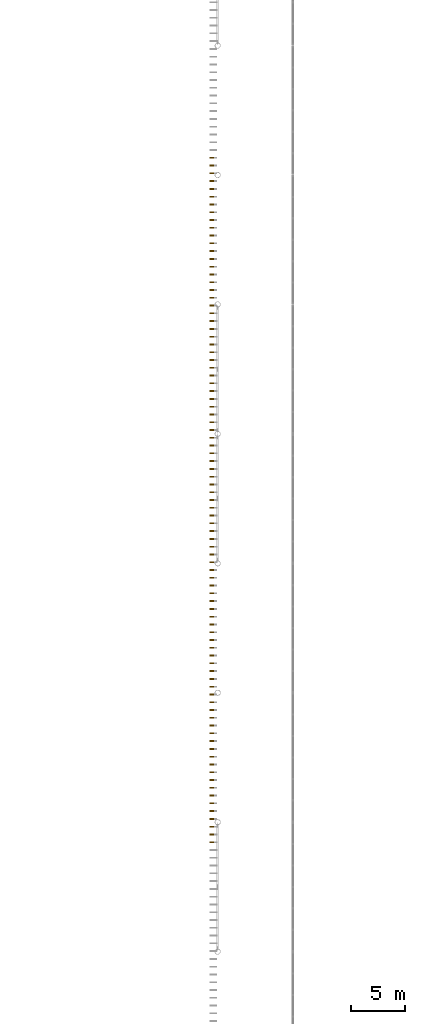
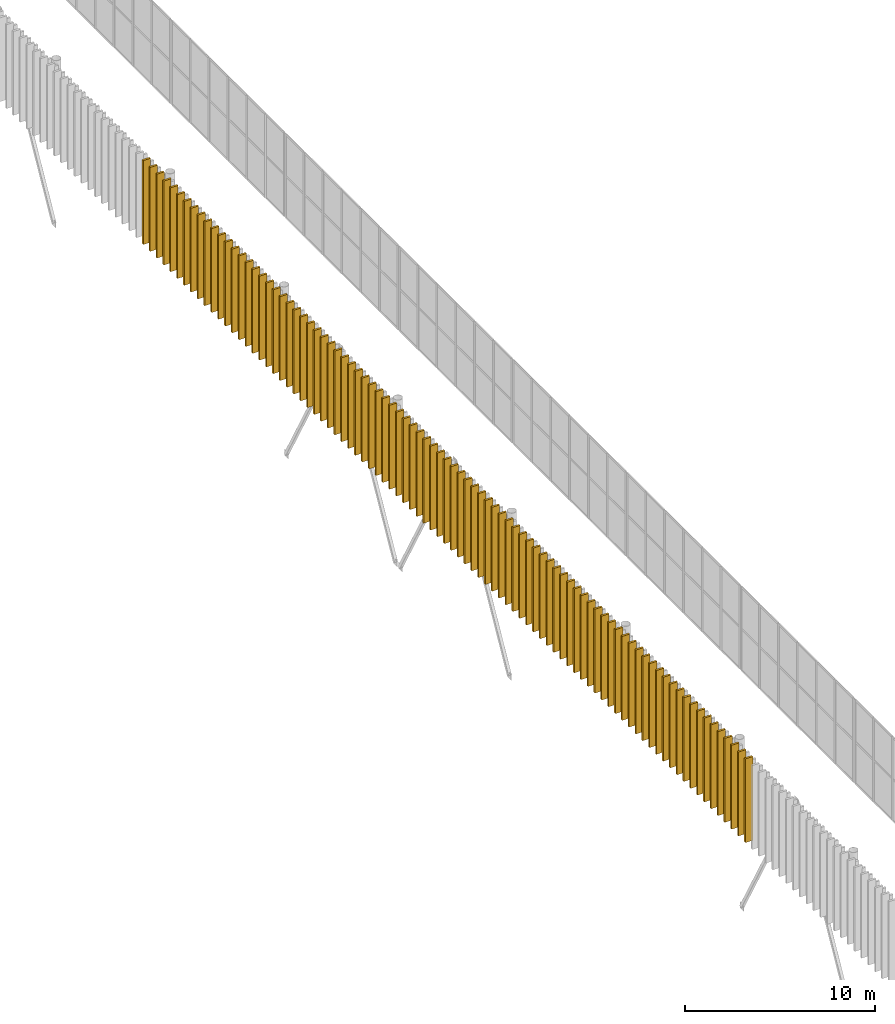
# One storey, part 159 of 170: 89 shading devices.
"""IFC4 building model written with IfcOpenShell, lengths in metres."""

from ifc_helpers import new_model, si_unit, direction, frame, origin, origin_2d, place, context, subcontext, project, spatial, rectangle, extrude, material, layer, layer_set, type_object, element, save


model = new_model("IFC4")

# Units and contexts
model_context = context("Model", 3, precision=1e-05, world=origin(), true_north=direction((0.0, 1.0)))
body_context = subcontext(model_context, "Body", "Model", "MODEL_VIEW")
ifc_project = project(units=[si_unit("LENGTHUNIT", "METRE"), si_unit("AREAUNIT", "SQUARE_METRE"), si_unit("VOLUMEUNIT", "CUBIC_METRE"), si_unit("PLANEANGLEUNIT", "RADIAN"), si_unit("MASSUNIT", "GRAM", prefix="KILO")], contexts=[model_context])

# Site, building, storey
site_placement = place(None, origin())
site = spatial("IfcSite", under=ifc_project, at=site_placement, CompositionType="ELEMENT")
building_placement = place(site_placement, origin())
building = spatial("IfcBuilding", under=site, at=building_placement, Name="Ravi Spectrum Wholesale Market", CompositionType="ELEMENT")
storey_placement = place(building_placement, frame((0.0, 0.0, 5.39990234375)))
storey = spatial("IfcBuildingStorey", under=building, at=storey_placement, Name="L01", CompositionType="ELEMENT", Elevation=5.39990234375)

# Shading devices
ifc_material_1 = material(Name="Glazed ceramic lime 09")
ifc_layer_1 = layer(ifc_material_1, 0.1201171875)
ifc_layer_set_1 = layer_set([ifc_layer_1], Name="Glazed ceramic lime 09")
shading_device_type_1 = type_object("IfcShadingDeviceType", Name="Glazed ceramic fin 09", PredefinedType="USERDEFINED", material=ifc_layer_set_1)
for number, where, z_axis, x_axis, name in (
    (1, (29.47509765625, 81.9140625, 0.000244140625), (0.0, 0.0, 1.0), (0.0, -1.0, 0.0), "Fin F162 Glazed ceramic lime 09"),
    (2, (29.47509765625, 81.193115234375, 0.000244140625), (0.0, 0.0, 1.0), (0.0, -1.0, 0.0), "Fin F163 Glazed ceramic lime 09"),
    (3, (29.47509765625, 80.47216796875, 0.000244140625), (0.0, 0.0, 1.0), (0.0, -1.0, 0.0), "Fin F164 Glazed ceramic lime 09"),
    (4, (29.47509765625, 79.7509765625, 0.000244140625), (0.0, 0.0, 1.0), (0.0, -1.0, 0.0), "Fin F165 Glazed ceramic lime 09"),
    (5, (29.47509765625, 79.030029296875, 0.000244140625), (0.0, 0.0, 1.0), (0.0, -1.0, 0.0), "Fin F166 Glazed ceramic lime 09"),
    (6, (29.47509765625, 78.30908203125, 0.000244140625), (0.0, 0.0, 1.0), (0.0, -1.0, 0.0), "Fin F167 Glazed ceramic lime 09"),
    (7, (29.47509765625, 77.587890625, 0.000244140625), (0.0, 0.0, 1.0), (0.0, -1.0, 0.0), "Fin F168 Glazed ceramic lime 09"),
    (8, (29.47509765625, 76.866943359375, 0.000244140625), (0.0, 0.0, 1.0), (0.0, -1.0, 0.0), "Fin F169 Glazed ceramic lime 09"),
    (9, (29.47509765625, 76.14599609375, 0.000244140625), (0.0, 0.0, 1.0), (0.0, -1.0, 0.0), "Fin F170 Glazed ceramic lime 09"),
):
    element("IfcShadingDevice", number, at=place(storey_placement, frame(where, z_axis=z_axis, x_axis=x_axis)), inside=storey, type_object=shading_device_type_1, Name=name, ObjectType="FIN", PredefinedType="USERDEFINED", context=body_context, shape_type="SweptSolid", body=[
        extrude(rectangle(XDim=0.1201171875, YDim=0.449951171875, at=origin_2d()), origin(), (0.0, 0.0, 1.0), 5.39990234375),
    ])
ifc_material_2 = material(Name="Glazed ceramic green 10")
ifc_layer_2 = layer(ifc_material_2, 0.1201171875)
ifc_layer_set_2 = layer_set([ifc_layer_2], Name="Glazed ceramic green 10")
shading_device_type_2 = type_object("IfcShadingDeviceType", Name="Glazed ceramic fin 10", PredefinedType="USERDEFINED", material=ifc_layer_set_2)
for number, where, z_axis, x_axis, name in (
    (10, (29.47509765625, 89.12451171875, 0.000244140625), (0.0, 0.0, 1.0), (0.0, -1.0, 0.0), "Fin F152 Glazed ceramic green 10"),
    (11, (29.47509765625, 88.4033203125, 0.000244140625), (0.0, 0.0, 1.0), (0.0, -1.0, 0.0), "Fin F153 Glazed ceramic green 10"),
    (12, (29.47509765625, 87.682373046875, 0.000244140625), (0.0, 0.0, 1.0), (0.0, -1.0, 0.0), "Fin F154 Glazed ceramic green 10"),
    (13, (29.47509765625, 86.96142578125, 0.000244140625), (0.0, 0.0, 1.0), (0.0, -1.0, 0.0), "Fin F155 Glazed ceramic green 10"),
    (14, (29.47509765625, 86.240234375, 0.000244140625), (0.0, 0.0, 1.0), (0.0, -1.0, 0.0), "Fin F156 Glazed ceramic green 10"),
    (15, (29.47509765625, 85.519287109375, 0.000244140625), (0.0, 0.0, 1.0), (0.0, -1.0, 0.0), "Fin F157 Glazed ceramic green 10"),
    (16, (29.47509765625, 84.79833984375, 0.000244140625), (0.0, 0.0, 1.0), (0.0, -1.0, 0.0), "Fin F158 Glazed ceramic green 10"),
    (17, (29.47509765625, 84.0771484375, 0.000244140625), (0.0, 0.0, 1.0), (0.0, -1.0, 0.0), "Fin F159 Glazed ceramic green 10"),
    (18, (29.47509765625, 83.356201171875, 0.000244140625), (0.0, 0.0, 1.0), (0.0, -1.0, 0.0), "Fin F160 Glazed ceramic green 10"),
    (19, (29.47509765625, 82.63525390625, 0.000244140625), (0.0, 0.0, 1.0), (0.0, -1.0, 0.0), "Fin F161 Glazed ceramic green 10"),
):
    element("IfcShadingDevice", number, at=place(storey_placement, frame(where, z_axis=z_axis, x_axis=x_axis)), inside=storey, type_object=shading_device_type_2, Name=name, ObjectType="FIN", PredefinedType="USERDEFINED", context=body_context, shape_type="SweptSolid", body=[
        extrude(rectangle(XDim=0.1201171875, YDim=0.449951171875, at=origin_2d()), origin(), (0.0, 0.0, 1.0), 5.39990234375),
    ])
ifc_material_3 = material(Name="Glazed ceramic green 11")
ifc_layer_3 = layer(ifc_material_3, 0.1201171875)
ifc_layer_set_3 = layer_set([ifc_layer_3], Name="Glazed ceramic green 11")
shading_device_type_3 = type_object("IfcShadingDeviceType", Name="Glazed ceramic fin 11", PredefinedType="USERDEFINED", material=ifc_layer_set_3)
for number, where, z_axis, x_axis, name in (
    (20, (29.47509765625, 97.055908203125, 0.000244140625), (0.0, 0.0, 1.0), (0.0, -1.0, 0.0), "Fin F141 Glazed ceramic green 11"),
    (21, (29.47509765625, 96.334716796875, 0.000244140625), (0.0, 0.0, 1.0), (0.0, -1.0, 0.0), "Fin F142 Glazed ceramic green 11"),
    (22, (29.47509765625, 95.61376953125, 0.000244140625), (0.0, 0.0, 1.0), (0.0, -1.0, 0.0), "Fin F143 Glazed ceramic green 11"),
    (23, (29.47509765625, 94.892822265625, 0.000244140625), (0.0, 0.0, 1.0), (0.0, -1.0, 0.0), "Fin F144 Glazed ceramic green 11"),
    (24, (29.47509765625, 94.171630859375, 0.000244140625), (0.0, 0.0, 1.0), (0.0, -1.0, 0.0), "Fin F145 Glazed ceramic green 11"),
    (25, (29.47509765625, 93.45068359375, 0.000244140625), (0.0, 0.0, 1.0), (0.0, -1.0, 0.0), "Fin F146 Glazed ceramic green 11"),
    (26, (29.47509765625, 92.7294921875, 0.000244140625), (0.0, 0.0, 1.0), (0.0, -1.0, 0.0), "Fin F147 Glazed ceramic green 11"),
    (27, (29.47509765625, 92.008544921875, 0.000244140625), (0.0, 0.0, 1.0), (0.0, -1.0, 0.0), "Fin F148 Glazed ceramic green 11"),
    (28, (29.47509765625, 91.28759765625, 0.000244140625), (0.0, 0.0, 1.0), (0.0, -1.0, 0.0), "Fin F149 Glazed ceramic green 11"),
    (29, (29.47509765625, 90.56640625, 0.000244140625), (0.0, 0.0, 1.0), (0.0, -1.0, 0.0), "Fin F150 Glazed ceramic green 11"),
    (30, (29.47509765625, 89.845458984375, 0.000244140625), (0.0, 0.0, 1.0), (0.0, -1.0, 0.0), "Fin F151 Glazed ceramic green 11"),
):
    element("IfcShadingDevice", number, at=place(storey_placement, frame(where, z_axis=z_axis, x_axis=x_axis)), inside=storey, type_object=shading_device_type_3, Name=name, ObjectType="FIN", PredefinedType="USERDEFINED", context=body_context, shape_type="SweptSolid", body=[
        extrude(rectangle(XDim=0.1201171875, YDim=0.449951171875, at=origin_2d()), origin(), (0.0, 0.0, 1.0), 5.39990234375),
    ])
ifc_material_4 = material(Name="Glazed ceramic green 12")
ifc_layer_4 = layer(ifc_material_4, 0.1201171875)
ifc_layer_set_4 = layer_set([ifc_layer_4], Name="Glazed ceramic green 12")
shading_device_type_4 = type_object("IfcShadingDeviceType", Name="Glazed ceramic fin 12", PredefinedType="USERDEFINED", material=ifc_layer_set_4)
for number, where, z_axis, x_axis, name in (
    (31, (29.47509765625, 104.987060546875, 0.000244140625), (0.0, 0.0, 1.0), (0.0, -1.0, 0.0), "Fin F130 Glazed ceramic green 12"),
    (32, (29.47509765625, 104.26611328125, 0.000244140625), (0.0, 0.0, 1.0), (0.0, -1.0, 0.0), "Fin F131 Glazed ceramic green 12"),
    (33, (29.47509765625, 103.545166015625, 0.000244140625), (0.0, 0.0, 1.0), (0.0, -1.0, 0.0), "Fin F132 Glazed ceramic green 12"),
    (34, (29.47509765625, 102.823974609375, 0.000244140625), (0.0, 0.0, 1.0), (0.0, -1.0, 0.0), "Fin F133 Glazed ceramic green 12"),
    (35, (29.47509765625, 102.10302734375, 0.000244140625), (0.0, 0.0, 1.0), (0.0, -1.0, 0.0), "Fin F134 Glazed ceramic green 12"),
    (36, (29.47509765625, 101.382080078125, 0.000244140625), (0.0, 0.0, 1.0), (0.0, -1.0, 0.0), "Fin F135 Glazed ceramic green 12"),
    (37, (29.47509765625, 100.660888671875, 0.000244140625), (0.0, 0.0, 1.0), (0.0, -1.0, 0.0), "Fin F136 Glazed ceramic green 12"),
    (38, (29.47509765625, 99.93994140625, 0.000244140625), (0.0, 0.0, 1.0), (0.0, -1.0, 0.0), "Fin F137 Glazed ceramic green 12"),
    (39, (29.47509765625, 99.218994140625, 0.000244140625), (0.0, 0.0, 1.0), (0.0, -1.0, 0.0), "Fin F138 Glazed ceramic green 12"),
    (40, (29.47509765625, 98.497802734375, 0.000244140625), (0.0, 0.0, 1.0), (0.0, -1.0, 0.0), "Fin F139 Glazed ceramic green 12"),
    (41, (29.47509765625, 97.77685546875, 0.000244140625), (0.0, 0.0, 1.0), (0.0, -1.0, 0.0), "Fin F140 Glazed ceramic green 12"),
):
    element("IfcShadingDevice", number, at=place(storey_placement, frame(where, z_axis=z_axis, x_axis=x_axis)), inside=storey, type_object=shading_device_type_4, Name=name, ObjectType="FIN", PredefinedType="USERDEFINED", context=body_context, shape_type="SweptSolid", body=[
        extrude(rectangle(XDim=0.1201171875, YDim=0.449951171875, at=origin_2d()), origin(), (0.0, 0.0, 1.0), 5.39990234375),
    ])
ifc_material_5 = material(Name="Glazed ceramic emerald 13")
ifc_layer_5 = layer(ifc_material_5, 0.1201171875)
ifc_layer_set_5 = layer_set([ifc_layer_5], Name="Glazed ceramic emerald 13")
shading_device_type_5 = type_object("IfcShadingDeviceType", Name="Glazed ceramic fin 13", PredefinedType="USERDEFINED", material=ifc_layer_set_5)
for number, where, z_axis, x_axis, name in (
    (42, (29.47509765625, 112.197509765625, 0.000244140625), (0.0, 0.0, 1.0), (0.0, -1.0, 0.0), "Fin F120 Glazed ceramic emerald 13"),
    (43, (29.47509765625, 111.476318359375, 0.000244140625), (0.0, 0.0, 1.0), (0.0, -1.0, 0.0), "Fin F121 Glazed ceramic emerald 13"),
    (44, (29.47509765625, 110.75537109375, 0.000244140625), (0.0, 0.0, 1.0), (0.0, -1.0, 0.0), "Fin F122 Glazed ceramic emerald 13"),
    (45, (29.47509765625, 110.034423828125, 0.000244140625), (0.0, 0.0, 1.0), (0.0, -1.0, 0.0), "Fin F123 Glazed ceramic emerald 13"),
    (46, (29.47509765625, 109.313232421875, 0.000244140625), (0.0, 0.0, 1.0), (0.0, -1.0, 0.0), "Fin F124 Glazed ceramic emerald 13"),
    (47, (29.47509765625, 108.59228515625, 0.000244140625), (0.0, 0.0, 1.0), (0.0, -1.0, 0.0), "Fin F125 Glazed ceramic emerald 13"),
    (48, (29.47509765625, 107.871337890625, 0.000244140625), (0.0, 0.0, 1.0), (0.0, -1.0, 0.0), "Fin F126 Glazed ceramic emerald 13"),
    (49, (29.47509765625, 107.150146484375, 0.000244140625), (0.0, 0.0, 1.0), (0.0, -1.0, 0.0), "Fin F127 Glazed ceramic emerald 13"),
    (50, (29.47509765625, 106.42919921875, 0.000244140625), (0.0, 0.0, 1.0), (0.0, -1.0, 0.0), "Fin F128 Glazed ceramic emerald 13"),
    (51, (29.47509765625, 105.708251953125, 0.000244140625), (0.0, 0.0, 1.0), (0.0, -1.0, 0.0), "Fin F129 Glazed ceramic emerald 13"),
):
    element("IfcShadingDevice", number, at=place(storey_placement, frame(where, z_axis=z_axis, x_axis=x_axis)), inside=storey, type_object=shading_device_type_5, Name=name, ObjectType="FIN", PredefinedType="USERDEFINED", context=body_context, shape_type="SweptSolid", body=[
        extrude(rectangle(XDim=0.1201171875, YDim=0.449951171875, at=origin_2d()), origin(), (0.0, 0.0, 1.0), 5.39990234375),
    ])
ifc_material_6 = material(Name="Glazed ceramic emerald 14")
ifc_layer_6 = layer(ifc_material_6, 0.1201171875)
ifc_layer_set_6 = layer_set([ifc_layer_6], Name="Glazed ceramic emerald 14")
shading_device_type_6 = type_object("IfcShadingDeviceType", Name="Glazed ceramic fin 14", PredefinedType="USERDEFINED", material=ifc_layer_set_6)
for number, where, z_axis, x_axis, name in (
    (52, (29.47509765625, 120.128662109375, 0.000244140625), (0.0, 0.0, 1.0), (0.0, -1.0, 0.0), "Fin F109 Glazed ceramic emerald 14"),
    (53, (29.47509765625, 119.40771484375, 0.000244140625), (0.0, 0.0, 1.0), (0.0, -1.0, 0.0), "Fin F110 Glazed ceramic emerald 14"),
    (54, (29.47509765625, 118.686767578125, 0.000244140625), (0.0, 0.0, 1.0), (0.0, -1.0, 0.0), "Fin F111 Glazed ceramic emerald 14"),
    (55, (29.47509765625, 117.965576171875, 0.000244140625), (0.0, 0.0, 1.0), (0.0, -1.0, 0.0), "Fin F112 Glazed ceramic emerald 14"),
    (56, (29.47509765625, 117.24462890625, 0.000244140625), (0.0, 0.0, 1.0), (0.0, -1.0, 0.0), "Fin F113 Glazed ceramic emerald 14"),
    (57, (29.47509765625, 116.523681640625, 0.000244140625), (0.0, 0.0, 1.0), (0.0, -1.0, 0.0), "Fin F114 Glazed ceramic emerald 14"),
    (58, (29.47509765625, 115.802490234375, 0.000244140625), (0.0, 0.0, 1.0), (0.0, -1.0, 0.0), "Fin F115 Glazed ceramic emerald 14"),
    (59, (29.47509765625, 115.08154296875, 0.000244140625), (0.0, 0.0, 1.0), (0.0, -1.0, 0.0), "Fin F116 Glazed ceramic emerald 14"),
    (60, (29.47509765625, 114.360595703125, 0.000244140625), (0.0, 0.0, 1.0), (0.0, -1.0, 0.0), "Fin F117 Glazed ceramic emerald 14"),
    (61, (29.47509765625, 113.639404296875, 0.000244140625), (0.0, 0.0, 1.0), (0.0, -1.0, 0.0), "Fin F118 Glazed ceramic emerald 14"),
    (62, (29.47509765625, 112.91845703125, 0.000244140625), (0.0, 0.0, 1.0), (0.0, -1.0, 0.0), "Fin F119 Glazed ceramic emerald 14"),
):
    element("IfcShadingDevice", number, at=place(storey_placement, frame(where, z_axis=z_axis, x_axis=x_axis)), inside=storey, type_object=shading_device_type_6, Name=name, ObjectType="FIN", PredefinedType="USERDEFINED", context=body_context, shape_type="SweptSolid", body=[
        extrude(rectangle(XDim=0.1201171875, YDim=0.449951171875, at=origin_2d()), origin(), (0.0, 0.0, 1.0), 5.39990234375),
    ])
ifc_material_7 = material(Name="Glazed ceramic emerald 15")
ifc_layer_7 = layer(ifc_material_7, 0.1201171875)
ifc_layer_set_7 = layer_set([ifc_layer_7], Name="Glazed ceramic emerald 15")
shading_device_type_7 = type_object("IfcShadingDeviceType", Name="Glazed ceramic fin 15", PredefinedType="USERDEFINED", material=ifc_layer_set_7)
for number, where, z_axis, x_axis, name in (
    (63, (29.47509765625, 128.06005859375, 0.000244140625), (0.0, 0.0, 1.0), (0.0, -1.0, 0.0), "Fin F098 Glazed ceramic emerald 15"),
    (64, (29.47509765625, 127.339111328125, 0.000244140625), (0.0, 0.0, 1.0), (0.0, -1.0, 0.0), "Fin F099 Glazed ceramic emerald 15"),
    (65, (29.47509765625, 126.617919921875, 0.000244140625), (0.0, 0.0, 1.0), (0.0, -1.0, 0.0), "Fin F100 Glazed ceramic emerald 15"),
    (66, (29.47509765625, 125.89697265625, 0.000244140625), (0.0, 0.0, 1.0), (0.0, -1.0, 0.0), "Fin F101 Glazed ceramic emerald 15"),
    (67, (29.47509765625, 125.176025390625, 0.000244140625), (0.0, 0.0, 1.0), (0.0, -1.0, 0.0), "Fin F102 Glazed ceramic emerald 15"),
    (68, (29.47509765625, 124.454833984375, 0.000244140625), (0.0, 0.0, 1.0), (0.0, -1.0, 0.0), "Fin F103 Glazed ceramic emerald 15"),
    (69, (29.47509765625, 123.73388671875, 0.000244140625), (0.0, 0.0, 1.0), (0.0, -1.0, 0.0), "Fin F104 Glazed ceramic emerald 15"),
    (70, (29.47509765625, 123.012939453125, 0.000244140625), (0.0, 0.0, 1.0), (0.0, -1.0, 0.0), "Fin F105 Glazed ceramic emerald 15"),
    (71, (29.47509765625, 122.291748046875, 0.000244140625), (0.0, 0.0, 1.0), (0.0, -1.0, 0.0), "Fin F106 Glazed ceramic emerald 15"),
    (72, (29.47509765625, 121.57080078125, 0.000244140625), (0.0, 0.0, 1.0), (0.0, -1.0, 0.0), "Fin F107 Glazed ceramic emerald 15"),
    (73, (29.47509765625, 120.849853515625, 0.000244140625), (0.0, 0.0, 1.0), (0.0, -1.0, 0.0), "Fin F108 Glazed ceramic emerald 15"),
):
    element("IfcShadingDevice", number, at=place(storey_placement, frame(where, z_axis=z_axis, x_axis=x_axis)), inside=storey, type_object=shading_device_type_7, Name=name, ObjectType="FIN", PredefinedType="USERDEFINED", context=body_context, shape_type="SweptSolid", body=[
        extrude(rectangle(XDim=0.1201171875, YDim=0.449951171875, at=origin_2d()), origin(), (0.0, 0.0, 1.0), 5.39990234375),
    ])
ifc_material_8 = material(Name="Glazed ceramic teal 16")
ifc_layer_8 = layer(ifc_material_8, 0.1201171875)
ifc_layer_set_8 = layer_set([ifc_layer_8], Name="Glazed ceramic teal 16")
shading_device_type_8 = type_object("IfcShadingDeviceType", Name="Glazed ceramic fin 16", PredefinedType="USERDEFINED", material=ifc_layer_set_8)
for number, where, z_axis, x_axis, name in (
    (74, (29.47509765625, 135.991455078125, 0.000244140625), (0.0, 0.0, 1.0), (0.0, -1.0, 0.0), "Fin F087 Glazed ceramic teal 16"),
    (75, (29.47509765625, 135.2705078125, 0.000244140625), (0.0, 0.0, 1.0), (0.0, -1.0, 0.0), "Fin F088 Glazed ceramic teal 16"),
    (76, (29.47509765625, 134.54931640625, 0.000244140625), (0.0, 0.0, 1.0), (0.0, -1.0, 0.0), "Fin F089 Glazed ceramic teal 16"),
    (77, (29.47509765625, 133.828369140625, 0.000244140625), (0.0, 0.0, 1.0), (0.0, -1.0, 0.0), "Fin F090 Glazed ceramic teal 16"),
    (78, (29.47509765625, 133.107177734375, 0.000244140625), (0.0, 0.0, 1.0), (0.0, -1.0, 0.0), "Fin F091 Glazed ceramic teal 16"),
    (79, (29.47509765625, 132.38623046875, 0.000244140625), (0.0, 0.0, 1.0), (0.0, -1.0, 0.0), "Fin F092 Glazed ceramic teal 16"),
    (80, (29.47509765625, 131.665283203125, 0.000244140625), (0.0, 0.0, 1.0), (0.0, -1.0, 0.0), "Fin F093 Glazed ceramic teal 16"),
    (81, (29.47509765625, 130.944091796875, 0.000244140625), (0.0, 0.0, 1.0), (0.0, -1.0, 0.0), "Fin F094 Glazed ceramic teal 16"),
    (82, (29.47509765625, 130.22314453125, 0.000244140625), (0.0, 0.0, 1.0), (0.0, -1.0, 0.0), "Fin F095 Glazed ceramic teal 16"),
    (83, (29.47509765625, 129.502197265625, 0.000244140625), (0.0, 0.0, 1.0), (0.0, -1.0, 0.0), "Fin F096 Glazed ceramic teal 16"),
    (84, (29.47509765625, 128.781005859375, 0.000244140625), (0.0, 0.0, 1.0), (0.0, -1.0, 0.0), "Fin F097 Glazed ceramic teal 16"),
):
    element("IfcShadingDevice", number, at=place(storey_placement, frame(where, z_axis=z_axis, x_axis=x_axis)), inside=storey, type_object=shading_device_type_8, Name=name, ObjectType="FIN", PredefinedType="USERDEFINED", context=body_context, shape_type="SweptSolid", body=[
        extrude(rectangle(XDim=0.1201171875, YDim=0.449951171875, at=origin_2d()), origin(), (0.0, 0.0, 1.0), 5.39990234375),
    ])
ifc_material_9 = material(Name="Glazed ceramic teal 17")
ifc_layer_9 = layer(ifc_material_9, 0.1201171875)
ifc_layer_set_9 = layer_set([ifc_layer_9], Name="Glazed ceramic teal 17")
shading_device_type_9 = type_object("IfcShadingDeviceType", Name="Glazed ceramic fin 17", PredefinedType="USERDEFINED", material=ifc_layer_set_9)
for number, where, z_axis, x_axis, name in (
    (85, (29.47509765625, 139.5966796875, 0.000244140625), (0.0, 0.0, 1.0), (0.0, -1.0, 0.0), "Fin F082 Glazed ceramic teal 17"),
    (86, (29.47509765625, 138.87548828125, 0.000244140625), (0.0, 0.0, 1.0), (0.0, -1.0, 0.0), "Fin F083 Glazed ceramic teal 17"),
    (87, (29.47509765625, 138.154541015625, 0.000244140625), (0.0, 0.0, 1.0), (0.0, -1.0, 0.0), "Fin F084 Glazed ceramic teal 17"),
    (88, (29.47509765625, 137.43359375, 0.000244140625), (0.0, 0.0, 1.0), (0.0, -1.0, 0.0), "Fin F085 Glazed ceramic teal 17"),
    (89, (29.47509765625, 136.71240234375, 0.000244140625), (0.0, 0.0, 1.0), (0.0, -1.0, 0.0), "Fin F086 Glazed ceramic teal 17"),
):
    element("IfcShadingDevice", number, at=place(storey_placement, frame(where, z_axis=z_axis, x_axis=x_axis)), inside=storey, type_object=shading_device_type_9, Name=name, ObjectType="FIN", PredefinedType="USERDEFINED", context=body_context, shape_type="SweptSolid", body=[
        extrude(rectangle(XDim=0.1201171875, YDim=0.449951171875, at=origin_2d()), origin(), (0.0, 0.0, 1.0), 5.39990234375),
    ])

save(model, "model.ifc")
